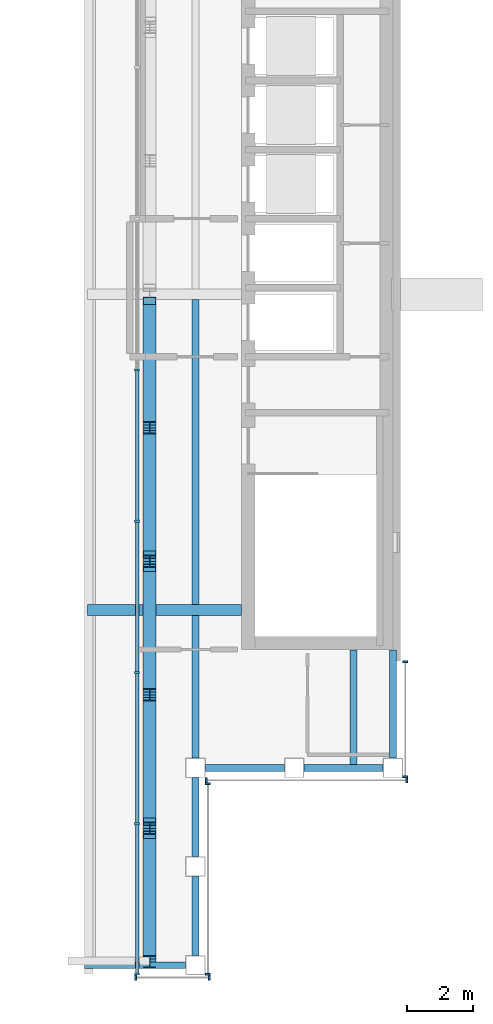
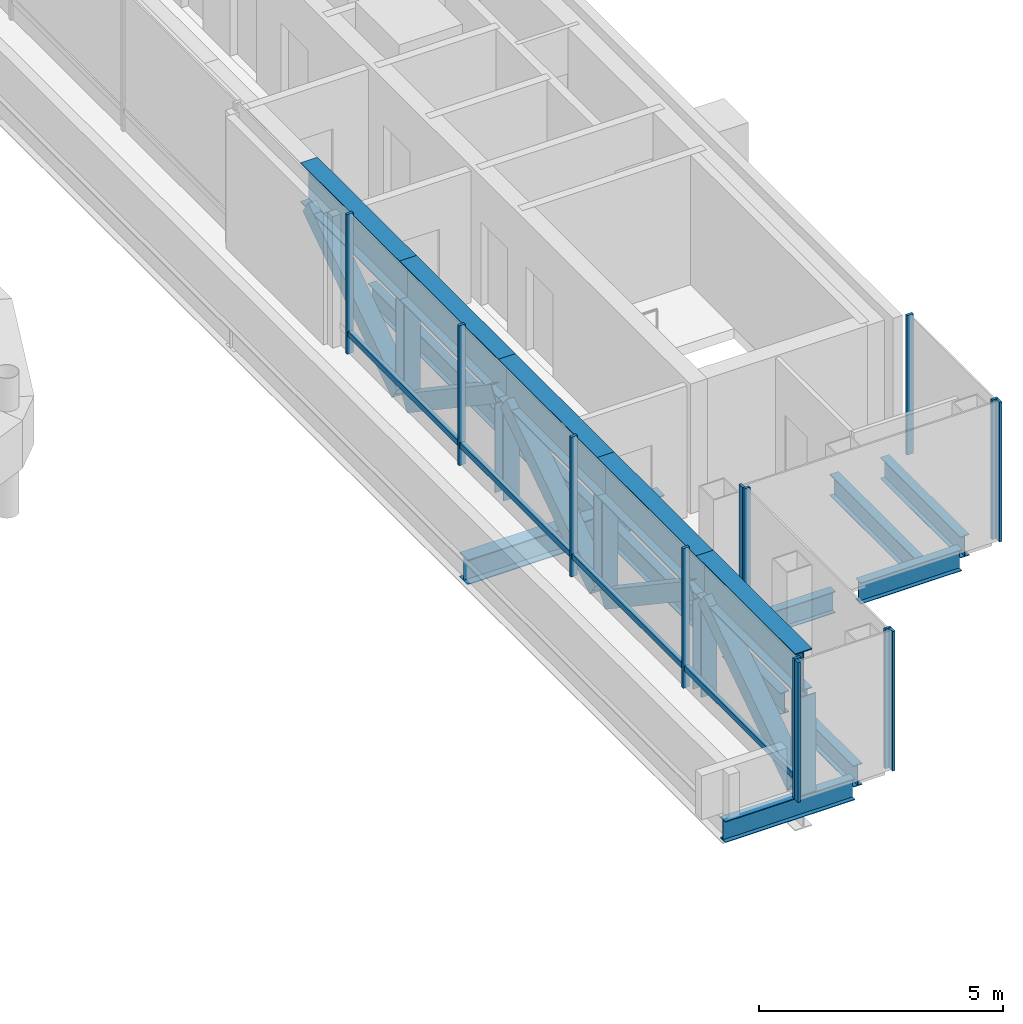
# One storey, part 6 of 16: 32 members, 10 beams, 5 elements without a shape of their own.
"""IFC4 building model written with IfcOpenShell, lengths in metres."""

from ifc_helpers import new_model, si_unit, direction, frame, origin, origin_2d, place, context, subcontext, project, spatial, rectangle, hollow_rectangle, i_section, extrude, material, material_profile, profile_set, type_object, element, aggregate, save


model = new_model("IFC4")

# Units and contexts
model_context = context("Model", 3, precision=1e-05, world=origin(), true_north=direction((0.0, 1.0)))
body_context = subcontext(model_context, "Body", "Model", "MODEL_VIEW")
ifc_project = project(units=[si_unit("LENGTHUNIT", "METRE"), si_unit("AREAUNIT", "SQUARE_METRE"), si_unit("VOLUMEUNIT", "CUBIC_METRE"), si_unit("PLANEANGLEUNIT", "RADIAN"), si_unit("MASSUNIT", "GRAM", prefix="KILO")], contexts=[model_context])

# Site, building, storey
site_placement = place(None, origin())
site = spatial("IfcSite", under=ifc_project, at=site_placement, CompositionType="ELEMENT")
building_placement = place(site_placement, origin())
building = spatial("IfcBuilding", under=site, at=building_placement, Name="Cobrizo Arcos Hotel Tower", CompositionType="ELEMENT")
storey_placement = place(building_placement, frame((0.0, 0.0, 286.5)))
storey = spatial("IfcBuildingStorey", under=building, at=storey_placement, Name="L76", CompositionType="ELEMENT", Elevation=286.5)

# Curtain wall, members
ifc_material_1 = material(Name="Aluminium 6063-T6 anodised bronze", Category="aluminium")
curtain_wall_type_1 = type_object("IfcCurtainWallType", Name="CW-A guest facade", PredefinedType="NOTDEFINED", material=ifc_material_1)
curtain_wall_1_placement = place(storey_placement, origin())
curtain_wall_1 = element("IfcCurtainWall", 1, at=curtain_wall_1_placement, inside=storey, type_object=curtain_wall_type_1, Name="CW-A L76 S face", PredefinedType="NOTDEFINED")
ifc_material_profile_1 = material_profile(ifc_material_1, rectangle(XDim=0.14990234375, YDim=0.06005859375, at=origin_2d()), Name="CW-A mullion 150x60")
ifc_profile_set_1 = profile_set([ifc_material_profile_1], Name="Aluminium 6063-T6 anodised bronze")
member_type_1 = type_object("IfcMemberType", Name="CW-A mullion 150x60", PredefinedType="MULLION", material=ifc_profile_set_1)
member_1_placement = place(storey_placement, frame((12.580078125, -20.77490234375, 0.0), z_axis=(0.0, 0.0, 1.0), x_axis=(0.0, -1.0, 0.0)))
member_1 = element("IfcMember", 2, at=member_1_placement, type_object=member_type_1, Name="CW-A mullion 1", PredefinedType="MULLION", context=body_context, shape_type="SweptSolid", body=[
    extrude(rectangle(XDim=0.14990234375, YDim=0.06005859375, at=origin_2d()), origin(), (0.0, 0.0, 1.0), 3.5),
])
member_2_placement = place(storey_placement, frame((14.820068359375, -20.77490234375, 0.0), z_axis=(0.0, 0.0, 1.0), x_axis=(0.0, -1.0, 0.0)))
member_2 = element("IfcMember", 3, at=member_2_placement, type_object=member_type_1, Name="CW-A mullion 2", PredefinedType="MULLION", context=body_context, shape_type="SweptSolid", body=[
    extrude(rectangle(XDim=0.14990234375, YDim=0.06005859375, at=origin_2d()), origin(), (0.0, 0.0, 1.0), 3.5),
])
aggregate(curtain_wall_1, [member_1, member_2])

curtain_wall_2_placement = place(storey_placement, origin())
curtain_wall_2 = element("IfcCurtainWall", 4, at=curtain_wall_2_placement, inside=storey, type_object=curtain_wall_type_1, Name="CW-A L76 E face", PredefinedType="NOTDEFINED")
member_3_placement = place(storey_placement, frame((14.77490234375, -20.669921875, 0.0), z_axis=(0.0, 0.0, 1.0), x_axis=(1.0, 0.0, 0.0)))
member_3 = element("IfcMember", 5, at=member_3_placement, type_object=member_type_1, Name="CW-A mullion 1", PredefinedType="MULLION", context=body_context, shape_type="SweptSolid", body=[
    extrude(rectangle(XDim=0.14990234375, YDim=0.06005859375, at=origin_2d()), origin(), (0.0, 0.0, 1.0), 3.5),
])
member_4_placement = place(storey_placement, frame((14.77490234375, -14.8798828125, 0.0), z_axis=(0.0, 0.0, 1.0), x_axis=(1.0, 0.0, 0.0)))
member_4 = element("IfcMember", 6, at=member_4_placement, type_object=member_type_1, Name="CW-A mullion 2", PredefinedType="MULLION", context=body_context, shape_type="SweptSolid", body=[
    extrude(rectangle(XDim=0.14990234375, YDim=0.06005859375, at=origin_2d()), origin(), (0.0, 0.0, 1.0), 3.5),
])
aggregate(curtain_wall_2, [member_3, member_4])

curtain_wall_3_placement = place(storey_placement, origin())
curtain_wall_3 = element("IfcCurtainWall", 7, at=curtain_wall_3_placement, inside=storey, type_object=curtain_wall_type_1, Name="CW-A L76 S face", PredefinedType="NOTDEFINED")
member_5_placement = place(storey_placement, frame((14.72998046875, -14.77490234375, 0.0), z_axis=(0.0, 0.0, 1.0), x_axis=(0.0, -1.0, 0.0)))
member_5 = element("IfcMember", 8, at=member_5_placement, type_object=member_type_1, Name="CW-A mullion 1", PredefinedType="MULLION", context=body_context, shape_type="SweptSolid", body=[
    extrude(rectangle(XDim=0.14990234375, YDim=0.06005859375, at=origin_2d()), origin(), (0.0, 0.0, 1.0), 3.5),
])
member_6_placement = place(storey_placement, frame((20.820068359375, -14.77490234375, 0.0), z_axis=(0.0, 0.0, 1.0), x_axis=(0.0, -1.0, 0.0)))
member_6 = element("IfcMember", 9, at=member_6_placement, type_object=member_type_1, Name="CW-A mullion 2", PredefinedType="MULLION", context=body_context, shape_type="SweptSolid", body=[
    extrude(rectangle(XDim=0.14990234375, YDim=0.06005859375, at=origin_2d()), origin(), (0.0, 0.0, 1.0), 3.5),
])
aggregate(curtain_wall_3, [member_5, member_6])

curtain_wall_4_placement = place(storey_placement, origin())
curtain_wall_4 = element("IfcCurtainWall", 10, at=curtain_wall_4_placement, inside=storey, type_object=curtain_wall_type_1, Name="CW-A L76 E face", PredefinedType="NOTDEFINED")
member_7_placement = place(storey_placement, frame((20.77490234375, -14.669921875, 0.0), z_axis=(0.0, 0.0, 1.0), x_axis=(1.0, 0.0, 0.0)))
member_7 = element("IfcMember", 11, at=member_7_placement, type_object=member_type_1, Name="CW-A mullion 1", PredefinedType="MULLION", context=body_context, shape_type="SweptSolid", body=[
    extrude(rectangle(XDim=0.14990234375, YDim=0.06005859375, at=origin_2d()), origin(), (0.0, 0.0, 1.0), 3.5),
])
member_8_placement = place(storey_placement, frame((20.77490234375, -11.179931640625, 0.0), z_axis=(0.0, 0.0, 1.0), x_axis=(1.0, 0.0, 0.0)))
member_8 = element("IfcMember", 12, at=member_8_placement, type_object=member_type_1, Name="CW-A mullion 2", PredefinedType="MULLION", context=body_context, shape_type="SweptSolid", body=[
    extrude(rectangle(XDim=0.14990234375, YDim=0.06005859375, at=origin_2d()), origin(), (0.0, 0.0, 1.0), 3.5),
])
aggregate(curtain_wall_4, [member_7, member_8])

curtain_wall_type_2 = type_object("IfcCurtainWallType", Name="CW-C arch infill and crown glazing", PredefinedType="NOTDEFINED", material=ifc_material_1)
curtain_wall_5_placement = place(storey_placement, origin())
curtain_wall_5 = element("IfcCurtainWall", 13, at=curtain_wall_5_placement, inside=storey, type_object=curtain_wall_type_2, Name="CW-C L76 W face", PredefinedType="NOTDEFINED")
ifc_material_profile_2 = material_profile(ifc_material_1, rectangle(XDim=0.14990234375, YDim=0.070068359375, at=origin_2d()), Name="CW-C mullion 150x70")
ifc_profile_set_2 = profile_set([ifc_material_profile_2], Name="Aluminium 6063-T6 anodised bronze")
member_type_2 = type_object("IfcMemberType", Name="CW-C mullion 150x70", PredefinedType="MULLION", material=ifc_profile_set_2)
member_9_placement = place(storey_placement, frame((12.625, -2.300048828125, 0.0), z_axis=(0.0, 0.0, 1.0), x_axis=(-1.0, 0.0, 0.0)))
member_9 = element("IfcMember", 14, at=member_9_placement, type_object=member_type_2, Name="CW-C mullion 6", PredefinedType="MULLION", context=body_context, shape_type="SweptSolid", body=[
    extrude(rectangle(XDim=0.14990234375, YDim=0.070068359375, at=origin_2d()), origin(), (0.0, 0.0, 1.0), 3.5),
])
member_10_placement = place(storey_placement, frame((12.625, -6.89990234375, 0.0), z_axis=(0.0, 0.0, 1.0), x_axis=(-1.0, 0.0, 0.0)))
member_10 = element("IfcMember", 15, at=member_10_placement, type_object=member_type_2, Name="CW-C mullion 7", PredefinedType="MULLION", context=body_context, shape_type="SweptSolid", body=[
    extrude(rectangle(XDim=0.14990234375, YDim=0.070068359375, at=origin_2d()), origin(), (0.0, 0.0, 1.0), 3.5),
])
member_11_placement = place(storey_placement, frame((12.625, -11.5, 0.0), z_axis=(0.0, 0.0, 1.0), x_axis=(-1.0, 0.0, 0.0)))
member_11 = element("IfcMember", 16, at=member_11_placement, type_object=member_type_2, Name="CW-C mullion 8", PredefinedType="MULLION", context=body_context, shape_type="SweptSolid", body=[
    extrude(rectangle(XDim=0.14990234375, YDim=0.070068359375, at=origin_2d()), origin(), (0.0, 0.0, 1.0), 3.5),
])
member_12_placement = place(storey_placement, frame((12.625, -16.10009765625, 0.0), z_axis=(0.0, 0.0, 1.0), x_axis=(-1.0, 0.0, 0.0)))
member_12 = element("IfcMember", 17, at=member_12_placement, type_object=member_type_2, Name="CW-C mullion 9", PredefinedType="MULLION", context=body_context, shape_type="SweptSolid", body=[
    extrude(rectangle(XDim=0.14990234375, YDim=0.070068359375, at=origin_2d()), origin(), (0.0, 0.0, 1.0), 3.5),
])
member_13_placement = place(storey_placement, frame((12.625, -20.6650390625, 0.0), z_axis=(0.0, 0.0, 1.0), x_axis=(-1.0, 0.0, 0.0)))
member_13 = element("IfcMember", 18, at=member_13_placement, type_object=member_type_2, Name="CW-C mullion 10", PredefinedType="MULLION", context=body_context, shape_type="SweptSolid", body=[
    extrude(rectangle(XDim=0.14990234375, YDim=0.070068359375, at=origin_2d()), origin(), (0.0, 0.0, 1.0), 3.5),
])
ifc_material_profile_3 = material_profile(ifc_material_1, rectangle(XDim=0.10009765625, YDim=0.139892578125, at=origin_2d()), Name="CW-C transom 140x100")
ifc_profile_set_3 = profile_set([ifc_material_profile_3], Name="Aluminium 6063-T6 anodised bronze")
member_type_3 = type_object("IfcMemberType", Name="CW-C transom 140x100", PredefinedType="USERDEFINED", material=ifc_profile_set_3)
member_14_placement = place(storey_placement, frame((12.625, -2.3349609375, 0.5), z_axis=(0.0, -1.0, 0.0), x_axis=(1.0, 0.0, 0.0)))
member_14 = element("IfcMember", 19, at=member_14_placement, type_object=member_type_3, Name="CW-C transom 2398", ObjectType="TRANSOM", PredefinedType="USERDEFINED", context=body_context, shape_type="SweptSolid", body=[
    extrude(rectangle(XDim=0.10009765625, YDim=0.139892578125, at=origin_2d()), origin(), (0.0, 0.0, 1.0), 4.530029296875),
])
member_15_placement = place(storey_placement, frame((12.625, -6.93505859375, 0.5), z_axis=(0.0, -1.0, 0.0), x_axis=(1.0, 0.0, 0.0)))
member_15 = element("IfcMember", 20, at=member_15_placement, type_object=member_type_3, Name="CW-C transom 2399", ObjectType="TRANSOM", PredefinedType="USERDEFINED", context=body_context, shape_type="SweptSolid", body=[
    extrude(rectangle(XDim=0.10009765625, YDim=0.139892578125, at=origin_2d()), origin(), (0.0, 0.0, 1.0), 4.530029296875),
])
member_16_placement = place(storey_placement, frame((12.625, -11.534912109375, 0.5), z_axis=(0.0, -1.0, 0.0), x_axis=(1.0, 0.0, 0.0)))
member_16 = element("IfcMember", 21, at=member_16_placement, type_object=member_type_3, Name="CW-C transom 2400", ObjectType="TRANSOM", PredefinedType="USERDEFINED", context=body_context, shape_type="SweptSolid", body=[
    extrude(rectangle(XDim=0.10009765625, YDim=0.139892578125, at=origin_2d()), origin(), (0.0, 0.0, 1.0), 4.530029296875),
])
member_17_placement = place(storey_placement, frame((12.625, -16.135009765625, 0.5), z_axis=(0.0, -1.0, 0.0), x_axis=(1.0, 0.0, 0.0)))
member_17 = element("IfcMember", 22, at=member_17_placement, type_object=member_type_3, Name="CW-C transom 2401", ObjectType="TRANSOM", PredefinedType="USERDEFINED", context=body_context, shape_type="SweptSolid", body=[
    extrude(rectangle(XDim=0.10009765625, YDim=0.139892578125, at=origin_2d()), origin(), (0.0, 0.0, 1.0), 4.494873046875),
])
aggregate(curtain_wall_5, [member_9, member_10, member_11, member_12, member_13, member_14, member_15, member_16, member_17])

# Members
ifc_material_2 = material(Name="Steel ASTM A500 Grade C", Category="steel")
ifc_material_profile_4 = material_profile(ifc_material_2, hollow_rectangle(XDim=0.406494140625, YDim=0.406494140625, WallThickness=0.014892578125, at=origin_2d()), Name="HSS16X16X5/8")
ifc_profile_set_4 = profile_set([ifc_material_profile_4], Name="Steel ASTM A500 Grade C")
member_type_4 = type_object("IfcMemberType", Name="HSS16X16X5/8 crown edge truss diagonal", PredefinedType="BRACE", material=ifc_profile_set_4)
for number, where, z_axis, x_axis, name in (
    (23, (13.0, -20.09521484375, -0.14990234375), (0.0, 0.829957061143, 0.557827282104), (-1.0, 0.0, 0.0), "Crown truss diagonal CD1, east side, no. 00"),
    (24, (13.0, -16.036376953125, 2.309326171875), (0.0, 0.829974292143, -0.557801644299), (-1.0, 0.0, 0.0), "Crown truss diagonal CD1, east side, no. 01"),
    (25, (13.0, -11.977294921875, -0.14990234375), (0.0, 0.829974292143, 0.557801644299), (-1.0, 0.0, 0.0), "Crown truss diagonal CD1, east side, no. 02"),
    (26, (13.0, -7.918212890625, 2.309326171875), (0.0, 0.829974292143, -0.557801644299), (-1.0, 0.0, 0.0), "Crown truss diagonal CD1, east side, no. 03"),
    (27, (13.0, -3.859130859375, -0.14990234375), (0.0, 0.829974292143, 0.557801644299), (-1.0, 0.0, 0.0), "Crown truss diagonal CD1, east side, no. 04"),
):
    element("IfcMember", number, at=place(storey_placement, frame(where, z_axis=z_axis, x_axis=x_axis)), inside=storey, type_object=member_type_4, Name=name, PredefinedType="BRACE", context=body_context, shape_type="SweptSolid", body=[
        extrude(hollow_rectangle(XDim=0.406494140625, YDim=0.406494140625, WallThickness=0.014892578125, at=origin_2d()), origin(), (0.0, 0.0, 1.0), 4.40869140625),
    ])
ifc_material_3 = material(Name="Steel ASTM A992 Grade 50", Category="steel")
ifc_material_profile_5 = material_profile(ifc_material_3, i_section(OverallWidth=0.373291015625, OverallDepth=0.373291015625, WebThickness=0.016357421875, FlangeThickness=0.026123046875, at=origin_2d()), Name="W14X132")
ifc_profile_set_5 = profile_set([ifc_material_profile_5], Name="Steel ASTM A992 Grade 50")
member_type_5 = type_object("IfcMemberType", Name="W14X132 crown edge truss post", PredefinedType="POST", material=ifc_profile_set_5)
for number, where, z_axis, x_axis, name in (
    (28, (13.0, -20.29541015625, -0.14990234375), (0.0, 0.0, 1.0), (1.0, 0.0, 0.0), "Crown truss post CP1, east side, no. 00"),
    (29, (13.0, -16.236328125, -0.14990234375), (0.0, 0.0, 1.0), (1.0, 0.0, 0.0), "Crown truss post CP1, east side, no. 01"),
    (30, (13.0, -12.17724609375, -0.14990234375), (0.0, 0.0, 1.0), (1.0, 0.0, 0.0), "Crown truss post CP1, east side, no. 02"),
    (31, (13.0, -8.1181640625, -0.14990234375), (0.0, 0.0, 1.0), (1.0, 0.0, 0.0), "Crown truss post CP1, east side, no. 03"),
    (32, (13.0, -4.05908203125, -0.14990234375), (0.0, 0.0, 1.0), (1.0, 0.0, 0.0), "Crown truss post CP1, east side, no. 04"),
):
    element("IfcMember", number, at=place(storey_placement, frame(where, z_axis=z_axis, x_axis=x_axis)), inside=storey, type_object=member_type_5, Name=name, PredefinedType="POST", context=body_context, shape_type="SweptSolid", body=[
        extrude(i_section(OverallWidth=0.373291015625, OverallDepth=0.373291015625, WebThickness=0.016357421875, FlangeThickness=0.026123046875, at=origin_2d()), origin(), (0.0, 0.0, 1.0), 2.459228515625),
    ])

# Beams
ifc_material_profile_6 = material_profile(ifc_material_3, i_section(OverallWidth=0.209228515625, OverallDepth=0.533447265625, WebThickness=0.01025390625, FlangeThickness=0.015625, at=origin_2d()), Name="W21X62")
ifc_profile_set_6 = profile_set([ifc_material_profile_6], Name="Steel ASTM A992 Grade 50")
beam_type_1 = type_object("IfcBeamType", Name="W21X62 joist", PredefinedType="JOIST", material=ifc_profile_set_6)
beam_1_placement = place(storey_placement, frame((14.39990234375, -14.10009765625, -0.416748046875), z_axis=(0.0, 1.0, 0.0), x_axis=(-1.0, 0.0, 0.0)))
element("IfcBeam", 33, at=beam_1_placement, inside=storey, type_object=beam_type_1, Name="Floor joist J1, L76, no. 007", PredefinedType="JOIST", context=body_context, shape_type="SweptSolid", body=[
    extrude(i_section(OverallWidth=0.209228515625, OverallDepth=0.533447265625, WebThickness=0.01025390625, FlangeThickness=0.015625, at=origin_2d()), origin(), (0.0, 0.0, 1.0), 4.336181640625),
])
beam_2_placement = place(storey_placement, frame((14.39990234375, -9.43603515625, -0.416748046875), z_axis=(0.0, 1.0, 0.0), x_axis=(-1.0, 0.0, 0.0)))
element("IfcBeam", 34, at=beam_2_placement, inside=storey, type_object=beam_type_1, Name="Floor joist J1, L76, no. 008", PredefinedType="JOIST", context=body_context, shape_type="SweptSolid", body=[
    extrude(i_section(OverallWidth=0.209228515625, OverallDepth=0.533447265625, WebThickness=0.01025390625, FlangeThickness=0.015625, at=origin_2d()), origin(), (0.0, 0.0, 1.0), 9.272216796875),
])
beam_3_placement = place(storey_placement, frame((19.199951171875, -14.31005859375, -0.416748046875), z_axis=(0.0, 1.0, 0.0), x_axis=(-1.0, 0.0, 0.0)))
element("IfcBeam", 35, at=beam_3_placement, inside=storey, type_object=beam_type_1, Name="Floor joist J1, L76, no. 011", PredefinedType="JOIST", context=body_context, shape_type="SweptSolid", body=[
    extrude(i_section(OverallWidth=0.209228515625, OverallDepth=0.533447265625, WebThickness=0.01025390625, FlangeThickness=0.015625, at=origin_2d()), origin(), (0.0, 0.0, 1.0), 3.5),
])
ifc_material_profile_7 = material_profile(ifc_material_3, i_section(OverallWidth=0.209228515625, OverallDepth=0.533447265625, WebThickness=0.01025390625, FlangeThickness=0.015625, at=origin_2d()), Name="W21X62")
ifc_profile_set_7 = profile_set([ifc_material_profile_7], Name="Steel ASTM A992 Grade 50")
beam_type_2 = type_object("IfcBeamType", Name="W21X62 spandrel", PredefinedType="SPANDREL", material=ifc_profile_set_7)
beam_4_placement = place(storey_placement, frame((20.39990234375, -10.81005859375, -0.416748046875), z_axis=(0.0, -1.0, 0.0), x_axis=(1.0, 0.0, 0.0)))
element("IfcBeam", 36, at=beam_4_placement, inside=storey, type_object=beam_type_2, Name="Spandrel beam W21X62, L76, no. 019", PredefinedType="SPANDREL", context=body_context, shape_type="SweptSolid", body=[
    extrude(i_section(OverallWidth=0.209228515625, OverallDepth=0.533447265625, WebThickness=0.01025390625, FlangeThickness=0.015625, at=origin_2d()), origin(), (0.0, 0.0, 1.0), 3.2900390625),
])
for number, where, z_axis, x_axis, name in (
    (37, (20.10009765625, -14.39990234375, -0.416748046875), (-1.0, 0.0, 0.0), (0.0, -1.0, 0.0), "Spandrel beam W21X62, L76, no. 020"),
    (38, (17.10009765625, -14.39990234375, -0.416748046875), (-1.0, 0.0, 0.0), (0.0, -1.0, 0.0), "Spandrel beam W21X62, L76, no. 021"),
    (39, (14.39990234375, -14.699951171875, -0.416748046875), (0.0, -1.0, 0.0), (1.0, 0.0, 0.0), "Spandrel beam W21X62, L76, no. 022"),
    (40, (14.39990234375, -17.699951171875, -0.416748046875), (0.0, -1.0, 0.0), (1.0, 0.0, 0.0), "Spandrel beam W21X62, L76, no. 023"),
):
    element("IfcBeam", number, at=place(storey_placement, frame(where, z_axis=z_axis, x_axis=x_axis)), inside=storey, type_object=beam_type_2, Name=name, PredefinedType="SPANDREL", context=body_context, shape_type="SweptSolid", body=[
        extrude(i_section(OverallWidth=0.209228515625, OverallDepth=0.533447265625, WebThickness=0.01025390625, FlangeThickness=0.015625, at=origin_2d()), origin(), (0.0, 0.0, 1.0), 2.400146484375),
    ])
beam_5_placement = place(storey_placement, frame((14.10009765625, -20.39990234375, -0.416748046875), z_axis=(-1.0, 0.0, 0.0), x_axis=(0.0, -1.0, 0.0)))
element("IfcBeam", 41, at=beam_5_placement, inside=storey, type_object=beam_type_2, Name="Spandrel beam W21X62, L76, no. 024", PredefinedType="SPANDREL", context=body_context, shape_type="SweptSolid", body=[
    extrude(i_section(OverallWidth=0.209228515625, OverallDepth=0.533447265625, WebThickness=0.01025390625, FlangeThickness=0.015625, at=origin_2d()), origin(), (0.0, 0.0, 1.0), 3.07421875),
])
ifc_material_profile_8 = material_profile(ifc_material_3, i_section(OverallWidth=0.32763671875, OverallDepth=0.622314453125, WebThickness=0.015380859375, FlangeThickness=0.0244140625, at=origin_2d()), Name="W24X131")
ifc_profile_set_8 = profile_set([ifc_material_profile_8], Name="Steel ASTM A992 Grade 50")
beam_type_3 = type_object("IfcBeamType", Name="W24X131 girder", PredefinedType="BEAM", material=ifc_profile_set_8)
beam_6_placement = place(storey_placement, frame((11.115966796875, -9.60009765625, -0.461181640625), z_axis=(1.0, 0.0, 0.0), x_axis=(0.0, 1.0, 0.0)))
element("IfcBeam", 42, at=beam_6_placement, inside=storey, type_object=beam_type_3, Name="Floor girder G1, L76, no. 002", PredefinedType="BEAM", context=body_context, shape_type="SweptSolid", body=[
    extrude(i_section(OverallWidth=0.32763671875, OverallDepth=0.622314453125, WebThickness=0.015380859375, FlangeThickness=0.0244140625, at=origin_2d()), origin(), (0.0, 0.0, 1.0), 4.674072265625),
])

# Members
ifc_material_profile_9 = material_profile(ifc_material_3, i_section(OverallWidth=0.4013671875, OverallDepth=0.990478515625, WebThickness=0.0166015625, FlangeThickness=0.025390625, at=origin_2d()), Name="W40X215")
ifc_profile_set_9 = profile_set([ifc_material_profile_9], Name="Steel ASTM A992 Grade 50")
member_type_6 = type_object("IfcMemberType", Name="W40X215 crown edge truss chord", PredefinedType="CHORD", material=ifc_profile_set_9)
for number, where, z_axis, x_axis, name in (
    (43, (13.0, -20.29541015625, 2.8046875), (0.0, 1.0, 0.0), (-1.0, 0.0, 0.0), "Crown truss top chord CC1, east side, no. 00"),
    (44, (13.0, -16.236328125, 2.8046875), (0.0, 1.0, 0.0), (-1.0, 0.0, 0.0), "Crown truss top chord CC1, east side, no. 01"),
    (45, (13.0, -12.17724609375, 2.8046875), (0.0, 1.0, 0.0), (-1.0, 0.0, 0.0), "Crown truss top chord CC1, east side, no. 02"),
    (46, (13.0, -8.1181640625, 2.8046875), (0.0, 1.0, 0.0), (-1.0, 0.0, 0.0), "Crown truss top chord CC1, east side, no. 03"),
    (47, (13.0, -4.05908203125, 2.8046875), (0.0, 1.0, 0.0), (-1.0, 0.0, 0.0), "Crown truss top chord CC1, east side, no. 04"),
):
    element("IfcMember", number, at=place(storey_placement, frame(where, z_axis=z_axis, x_axis=x_axis)), inside=storey, type_object=member_type_6, Name=name, PredefinedType="CHORD", context=body_context, shape_type="SweptSolid", body=[
        extrude(i_section(OverallWidth=0.4013671875, OverallDepth=0.990478515625, WebThickness=0.0166015625, FlangeThickness=0.025390625, at=origin_2d()), origin(), (0.0, 0.0, 1.0), 4.05908203125),
    ])

save(model, "model.ifc")
